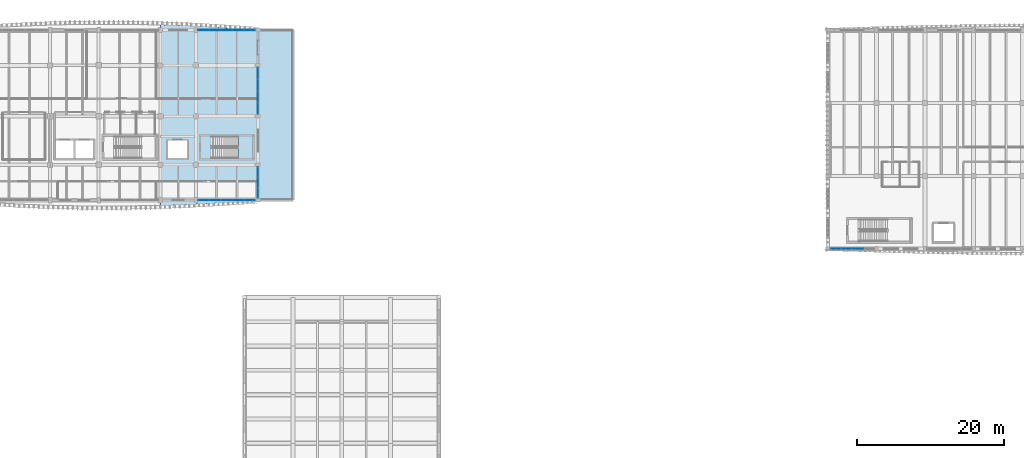
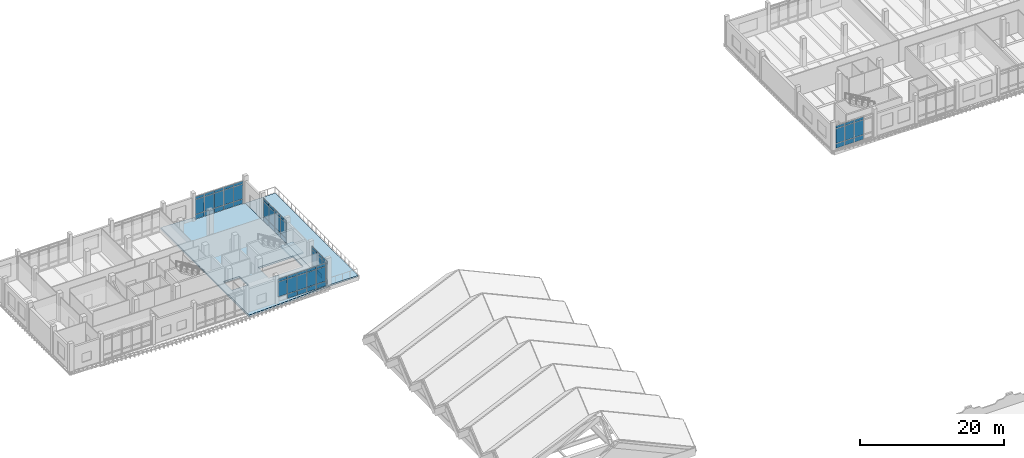
# One storey, part 20 of 50: 59 plates, 3 slabs, 6 elements without a shape of their own.
"""IFC4 building model written with IfcOpenShell, lengths in metres."""

from ifc_helpers import new_model, si_unit, direction, frame, origin, origin_2d, place, context, subcontext, project, spatial, polyline, rectangle, outline, extrude, material, layer, layer_set, type_object, element, aggregate, save


model = new_model("IFC4")

# Units and contexts
model_context = context("Model", 3, precision=1e-05, world=origin(), true_north=direction((0.0, 1.0)))
body_context = subcontext(model_context, "Body", "Model", "MODEL_VIEW")
ifc_project = project(units=[si_unit("LENGTHUNIT", "METRE"), si_unit("AREAUNIT", "SQUARE_METRE"), si_unit("VOLUMEUNIT", "CUBIC_METRE"), si_unit("PLANEANGLEUNIT", "RADIAN"), si_unit("MASSUNIT", "GRAM", prefix="KILO")], contexts=[model_context])

# Site, building, storey
site_placement = place(None, origin())
site = spatial("IfcSite", under=ifc_project, at=site_placement, CompositionType="ELEMENT")
building_placement = place(site_placement, origin())
building = spatial("IfcBuilding", under=site, at=building_placement, Name="Dornvale Research Institute", CompositionType="ELEMENT")
storey_placement = place(building_placement, frame((0.0, 0.0, 19.800048828125)))
storey = spatial("IfcBuildingStorey", under=building, at=storey_placement, Name="L04", CompositionType="ELEMENT", Elevation=19.800048828125)

# Curtain wall, plates
ifc_material_1 = material(Name="Low-E Argon Double Insulating Glazing Unit", Category="glass")
curtain_wall_type_1 = type_object("IfcCurtainWallType", Name="UnitisedCurtainWall_V4_6050x3950", PredefinedType="USERDEFINED", material=ifc_material_1)
curtain_wall_1_placement = place(storey_placement, origin())
curtain_wall_1 = element("IfcCurtainWall", 1, at=curtain_wall_1_placement, inside=storey, type_object=curtain_wall_type_1, Name="L04 V4 unitised curtain wall CW-18 #108", ObjectType="UNITISED CURTAIN WALL", PredefinedType="USERDEFINED")
ifc_material_2 = material(Name="Insulated Ceramic-Frit Spandrel Glass Panel", Category="glass")
ifc_layer_1 = layer(ifc_material_2, 0.0419921875)
ifc_layer_set_1 = layer_set([ifc_layer_1], Name="Insulated Ceramic-Frit Spandrel Glass Panel")
plate_type_1 = type_object("IfcPlateType", Name="CurtainPanel_Spandrel_42", PredefinedType="CURTAIN_PANEL", material=ifc_layer_set_1)
plate_1_placement = place(storey_placement, frame((122.90625, 92.39990234375, 0.06494140625), z_axis=(0.0, 0.0, 1.0), x_axis=(-1.0, 0.0, 0.0)))
plate_1 = element("IfcPlate", 2, at=plate_1_placement, type_object=plate_type_1, Name="CW-18 panel 2.1", PredefinedType="CURTAIN_PANEL", context=body_context, shape_type="SweptSolid", body=[
    extrude(rectangle(XDim=1.447509765625, YDim=0.0419921875, at=origin_2d()), origin(), (0.0, 0.0, 1.0), 0.75244140625),
])
plate_2_placement = place(storey_placement, frame((121.393798828125, 92.39990234375, 0.06494140625), z_axis=(0.0, 0.0, 1.0), x_axis=(-1.0, 0.0, 0.0)))
plate_2 = element("IfcPlate", 3, at=plate_2_placement, type_object=plate_type_1, Name="CW-18 panel 3.1", PredefinedType="CURTAIN_PANEL", context=body_context, shape_type="SweptSolid", body=[
    extrude(rectangle(XDim=1.447509765625, YDim=0.0419921875, at=origin_2d()), origin(), (0.0, 0.0, 1.0), 0.75244140625),
])
plate_3_placement = place(storey_placement, frame((119.8974609375, 92.39990234375, 0.06494140625), z_axis=(0.0, 0.0, 1.0), x_axis=(-1.0, 0.0, 0.0)))
plate_3 = element("IfcPlate", 4, at=plate_3_placement, type_object=plate_type_1, Name="CW-18 panel 4.1", PredefinedType="CURTAIN_PANEL", context=body_context, shape_type="SweptSolid", body=[
    extrude(rectangle(XDim=1.4150390625, YDim=0.0419921875, at=origin_2d()), origin(), (0.0, 0.0, 1.0), 0.75244140625),
])

ifc_material_3 = material(Name="Low-E Argon Double Insulating Glazing Unit", Category="glass")
curtain_wall_type_2 = type_object("IfcCurtainWallType", Name="UnitisedCurtainWall_V5_7800x3950", PredefinedType="USERDEFINED", material=ifc_material_3)
curtain_wall_2_placement = place(storey_placement, origin())
curtain_wall_2 = element("IfcCurtainWall", 5, at=curtain_wall_2_placement, inside=storey, type_object=curtain_wall_type_2, Name="L04 V5 unitised curtain wall CW-29 #159", ObjectType="UNITISED CURTAIN WALL", PredefinedType="USERDEFINED")
plate_4_placement = place(storey_placement, frame((34.046142578125, 122.10009765625, 0.06494140625), z_axis=(0.0, 0.0, 1.0), x_axis=(1.0, 0.0, 0.0)))
plate_4 = element("IfcPlate", 6, at=plate_4_placement, type_object=plate_type_1, Name="CW-29 panel 1.1", PredefinedType="CURTAIN_PANEL", context=body_context, shape_type="SweptSolid", body=[
    extrude(rectangle(XDim=1.46240234375, YDim=0.0419921875, at=origin_2d()), origin(), (0.0, 0.0, 1.0), 0.75244140625),
])
plate_5_placement = place(storey_placement, frame((35.590087890625, 122.10009765625, 0.06494140625), z_axis=(0.0, 0.0, 1.0), x_axis=(1.0, 0.0, 0.0)))
plate_5 = element("IfcPlate", 7, at=plate_5_placement, type_object=plate_type_1, Name="CW-29 panel 2.1", PredefinedType="CURTAIN_PANEL", context=body_context, shape_type="SweptSolid", body=[
    extrude(rectangle(XDim=1.4951171875, YDim=0.0419921875, at=origin_2d()), origin(), (0.0, 0.0, 1.0), 0.75244140625),
])
plate_6_placement = place(storey_placement, frame((37.14990234375, 122.10009765625, 0.06494140625), z_axis=(0.0, 0.0, 1.0), x_axis=(1.0, 0.0, 0.0)))
plate_6 = element("IfcPlate", 8, at=plate_6_placement, type_object=plate_type_1, Name="CW-29 panel 3.1", PredefinedType="CURTAIN_PANEL", context=body_context, shape_type="SweptSolid", body=[
    extrude(rectangle(XDim=1.4951171875, YDim=0.0419921875, at=origin_2d()), origin(), (0.0, 0.0, 1.0), 0.75244140625),
])
plate_7_placement = place(storey_placement, frame((38.7099609375, 122.10009765625, 0.06494140625), z_axis=(0.0, 0.0, 1.0), x_axis=(1.0, 0.0, 0.0)))
plate_7 = element("IfcPlate", 9, at=plate_7_placement, type_object=plate_type_1, Name="CW-29 panel 4.1", PredefinedType="CURTAIN_PANEL", context=body_context, shape_type="SweptSolid", body=[
    extrude(rectangle(XDim=1.4951171875, YDim=0.0419921875, at=origin_2d()), origin(), (0.0, 0.0, 1.0), 0.75244140625),
])
plate_8_placement = place(storey_placement, frame((40.253662109375, 122.10009765625, 0.06494140625), z_axis=(0.0, 0.0, 1.0), x_axis=(1.0, 0.0, 0.0)))
plate_8 = element("IfcPlate", 10, at=plate_8_placement, type_object=plate_type_1, Name="CW-29 panel 5.1", PredefinedType="CURTAIN_PANEL", context=body_context, shape_type="SweptSolid", body=[
    extrude(rectangle(XDim=1.46240234375, YDim=0.0419921875, at=origin_2d()), origin(), (0.0, 0.0, 1.0), 0.75244140625),
])

ifc_material_4 = material(Name="Low-E Argon Double Insulating Glazing Unit", Category="glass")
curtain_wall_type_3 = type_object("IfcCurtainWallType", Name="UnitisedCurtainWall_V5_6400x3950", PredefinedType="USERDEFINED", material=ifc_material_4)
curtain_wall_3_placement = place(storey_placement, origin())
curtain_wall_3 = element("IfcCurtainWall", 11, at=curtain_wall_3_placement, inside=storey, type_object=curtain_wall_type_3, Name="L04 V5 unitised curtain wall CW-28 #160", ObjectType="UNITISED CURTAIN WALL", PredefinedType="USERDEFINED")
plate_9_placement = place(storey_placement, frame((41.39990234375, 116.233642578125, 0.06494140625), z_axis=(0.0, 0.0, 1.0), x_axis=(0.0, -1.0, 0.0)))
plate_9 = element("IfcPlate", 12, at=plate_9_placement, type_object=plate_type_1, Name="CW-28 panel 1.1", PredefinedType="CURTAIN_PANEL", context=body_context, shape_type="SweptSolid", body=[
    extrude(rectangle(XDim=1.50244140625, YDim=0.0419921875, at=origin_2d()), origin(), (0.0, 0.0, 1.0), 0.75244140625),
])
plate_10_placement = place(storey_placement, frame((41.39990234375, 114.64990234375, 0.06494140625), z_axis=(0.0, 0.0, 1.0), x_axis=(0.0, -1.0, 0.0)))
plate_10 = element("IfcPlate", 13, at=plate_10_placement, type_object=plate_type_1, Name="CW-28 panel 2.1", PredefinedType="CURTAIN_PANEL", context=body_context, shape_type="SweptSolid", body=[
    extrude(rectangle(XDim=1.534912109375, YDim=0.0419921875, at=origin_2d()), origin(), (0.0, 0.0, 1.0), 0.75244140625),
])
plate_11_placement = place(storey_placement, frame((41.39990234375, 113.050048828125, 0.06494140625), z_axis=(0.0, 0.0, 1.0), x_axis=(0.0, -1.0, 0.0)))
plate_11 = element("IfcPlate", 14, at=plate_11_placement, type_object=plate_type_1, Name="CW-28 panel 3.1", PredefinedType="CURTAIN_PANEL", context=body_context, shape_type="SweptSolid", body=[
    extrude(rectangle(XDim=1.534912109375, YDim=0.0419921875, at=origin_2d()), origin(), (0.0, 0.0, 1.0), 0.75244140625),
])
plate_12_placement = place(storey_placement, frame((41.39990234375, 111.46630859375, 0.06494140625), z_axis=(0.0, 0.0, 1.0), x_axis=(0.0, -1.0, 0.0)))
plate_12 = element("IfcPlate", 15, at=plate_12_placement, type_object=plate_type_1, Name="CW-28 panel 4.1", PredefinedType="CURTAIN_PANEL", context=body_context, shape_type="SweptSolid", body=[
    extrude(rectangle(XDim=1.50244140625, YDim=0.0419921875, at=origin_2d()), origin(), (0.0, 0.0, 1.0), 0.75244140625),
])

ifc_material_5 = material(Name="Low-E Argon Double Insulating Glazing Unit", Category="glass")
curtain_wall_type_4 = type_object("IfcCurtainWallType", Name="UnitisedCurtainWall_V5_4300x3950", PredefinedType="USERDEFINED", material=ifc_material_5)
curtain_wall_4_placement = place(storey_placement, origin())
curtain_wall_4 = element("IfcCurtainWall", 16, at=curtain_wall_4_placement, inside=storey, type_object=curtain_wall_type_4, Name="L04 V5 unitised curtain wall CW-25 #161", ObjectType="UNITISED CURTAIN WALL", PredefinedType="USERDEFINED")
plate_13_placement = place(storey_placement, frame((41.39990234375, 102.817138671875, 0.06494140625), z_axis=(0.0, 0.0, 1.0), x_axis=(0.0, -1.0, 0.0)))
plate_13 = element("IfcPlate", 17, at=plate_13_placement, type_object=plate_type_1, Name="CW-25 panel 1.1", PredefinedType="CURTAIN_PANEL", context=body_context, shape_type="SweptSolid", body=[
    extrude(rectangle(XDim=1.3359375, YDim=0.0419921875, at=origin_2d()), origin(), (0.0, 0.0, 1.0), 0.75244140625),
])
plate_14_placement = place(storey_placement, frame((41.39990234375, 101.39990234375, 0.06494140625), z_axis=(0.0, 0.0, 1.0), x_axis=(0.0, -1.0, 0.0)))
plate_14 = element("IfcPlate", 18, at=plate_14_placement, type_object=plate_type_1, Name="CW-25 panel 2.1", PredefinedType="CURTAIN_PANEL", context=body_context, shape_type="SweptSolid", body=[
    extrude(rectangle(XDim=1.368408203125, YDim=0.0419921875, at=origin_2d()), origin(), (0.0, 0.0, 1.0), 0.75244140625),
])
plate_15_placement = place(storey_placement, frame((41.39990234375, 99.98291015625, 0.06494140625), z_axis=(0.0, 0.0, 1.0), x_axis=(0.0, -1.0, 0.0)))
plate_15 = element("IfcPlate", 19, at=plate_15_placement, type_object=plate_type_1, Name="CW-25 panel 3.1", PredefinedType="CURTAIN_PANEL", context=body_context, shape_type="SweptSolid", body=[
    extrude(rectangle(XDim=1.3359375, YDim=0.0419921875, at=origin_2d()), origin(), (0.0, 0.0, 1.0), 0.75244140625),
])

curtain_wall_5_placement = place(storey_placement, origin())
curtain_wall_5 = element("IfcCurtainWall", 20, at=curtain_wall_5_placement, inside=storey, type_object=curtain_wall_type_2, Name="L04 V5 unitised curtain wall CW-29 #162", ObjectType="UNITISED CURTAIN WALL", PredefinedType="USERDEFINED")
plate_16_placement = place(storey_placement, frame((40.253662109375, 99.0, 0.06494140625), z_axis=(0.0, 0.0, 1.0), x_axis=(-1.0, 0.0, 0.0)))
plate_16 = element("IfcPlate", 21, at=plate_16_placement, type_object=plate_type_1, Name="CW-29 panel 1.1", PredefinedType="CURTAIN_PANEL", context=body_context, shape_type="SweptSolid", body=[
    extrude(rectangle(XDim=1.46240234375, YDim=0.0419921875, at=origin_2d()), origin(), (0.0, 0.0, 1.0), 0.75244140625),
])
plate_17_placement = place(storey_placement, frame((38.7099609375, 99.0, 0.06494140625), z_axis=(0.0, 0.0, 1.0), x_axis=(-1.0, 0.0, 0.0)))
plate_17 = element("IfcPlate", 22, at=plate_17_placement, type_object=plate_type_1, Name="CW-29 panel 2.1", PredefinedType="CURTAIN_PANEL", context=body_context, shape_type="SweptSolid", body=[
    extrude(rectangle(XDim=1.4951171875, YDim=0.0419921875, at=origin_2d()), origin(), (0.0, 0.0, 1.0), 0.75244140625),
])
plate_18_placement = place(storey_placement, frame((37.14990234375, 99.0, 0.06494140625), z_axis=(0.0, 0.0, 1.0), x_axis=(-1.0, 0.0, 0.0)))
plate_18 = element("IfcPlate", 23, at=plate_18_placement, type_object=plate_type_1, Name="CW-29 panel 3.1", PredefinedType="CURTAIN_PANEL", context=body_context, shape_type="SweptSolid", body=[
    extrude(rectangle(XDim=1.4951171875, YDim=0.0419921875, at=origin_2d()), origin(), (0.0, 0.0, 1.0), 0.75244140625),
])
plate_19_placement = place(storey_placement, frame((35.590087890625, 99.0, 0.06494140625), z_axis=(0.0, 0.0, 1.0), x_axis=(-1.0, 0.0, 0.0)))
plate_19 = element("IfcPlate", 24, at=plate_19_placement, type_object=plate_type_1, Name="CW-29 panel 4.1", PredefinedType="CURTAIN_PANEL", context=body_context, shape_type="SweptSolid", body=[
    extrude(rectangle(XDim=1.4951171875, YDim=0.0419921875, at=origin_2d()), origin(), (0.0, 0.0, 1.0), 0.75244140625),
])

# Plate
ifc_material_6 = material(Name="Low-E Argon Double Insulating Glazing Unit", Category="glass")
ifc_layer_2 = layer(ifc_material_6, 0.028076171875)
ifc_layer_set_2 = layer_set([ifc_layer_2], Name="Low-E Argon Double Insulating Glazing Unit")
plate_type_2 = type_object("IfcPlateType", Name="CurtainPanel_Vision_28", PredefinedType="CURTAIN_PANEL", material=ifc_layer_set_2)
plate_20_placement = place(storey_placement, frame((122.90625, 92.39990234375, 0.88232421875), z_axis=(0.0, 0.0, 1.0), x_axis=(-1.0, 0.0, 0.0)))
plate_20 = element("IfcPlate", 25, at=plate_20_placement, type_object=plate_type_2, Name="CW-18 panel 2.2", PredefinedType="CURTAIN_PANEL", context=body_context, shape_type="SweptSolid", body=[
    extrude(rectangle(XDim=1.447509765625, YDim=0.028076171875, at=origin_2d()), origin(), (0.0, 0.0, 1.0), 2.485107421875),
])

plate_21_placement = place(storey_placement, frame((122.90625, 92.39990234375, 3.4326171875), z_axis=(0.0, 0.0, 1.0), x_axis=(-1.0, 0.0, 0.0)))
plate_21 = element("IfcPlate", 26, at=plate_21_placement, type_object=plate_type_2, Name="CW-18 panel 2.3", PredefinedType="CURTAIN_PANEL", context=body_context, shape_type="SweptSolid", body=[
    extrude(rectangle(XDim=1.447509765625, YDim=0.028076171875, at=origin_2d()), origin(), (0.0, 0.0, 1.0), 0.452392578125),
])

plate_22_placement = place(storey_placement, frame((121.393798828125, 92.39990234375, 0.88232421875), z_axis=(0.0, 0.0, 1.0), x_axis=(-1.0, 0.0, 0.0)))
plate_22 = element("IfcPlate", 27, at=plate_22_placement, type_object=plate_type_2, Name="CW-18 panel 3.2", PredefinedType="CURTAIN_PANEL", context=body_context, shape_type="SweptSolid", body=[
    extrude(rectangle(XDim=1.447509765625, YDim=0.028076171875, at=origin_2d()), origin(), (0.0, 0.0, 1.0), 2.485107421875),
])

plate_23_placement = place(storey_placement, frame((121.393798828125, 92.39990234375, 3.4326171875), z_axis=(0.0, 0.0, 1.0), x_axis=(-1.0, 0.0, 0.0)))
plate_23 = element("IfcPlate", 28, at=plate_23_placement, type_object=plate_type_2, Name="CW-18 panel 3.3", PredefinedType="CURTAIN_PANEL", context=body_context, shape_type="SweptSolid", body=[
    extrude(rectangle(XDim=1.447509765625, YDim=0.028076171875, at=origin_2d()), origin(), (0.0, 0.0, 1.0), 0.452392578125),
])

plate_24_placement = place(storey_placement, frame((119.8974609375, 92.39990234375, 0.88232421875), z_axis=(0.0, 0.0, 1.0), x_axis=(-1.0, 0.0, 0.0)))
plate_24 = element("IfcPlate", 29, at=plate_24_placement, type_object=plate_type_2, Name="CW-18 panel 4.2", PredefinedType="CURTAIN_PANEL", context=body_context, shape_type="SweptSolid", body=[
    extrude(rectangle(XDim=1.4150390625, YDim=0.028076171875, at=origin_2d()), origin(), (0.0, 0.0, 1.0), 2.485107421875),
])

plate_25_placement = place(storey_placement, frame((119.8974609375, 92.39990234375, 3.4326171875), z_axis=(0.0, 0.0, 1.0), x_axis=(-1.0, 0.0, 0.0)))
plate_25 = element("IfcPlate", 30, at=plate_25_placement, type_object=plate_type_2, Name="CW-18 panel 4.3", PredefinedType="CURTAIN_PANEL", context=body_context, shape_type="SweptSolid", body=[
    extrude(rectangle(XDim=1.4150390625, YDim=0.028076171875, at=origin_2d()), origin(), (0.0, 0.0, 1.0), 0.452392578125),
])

aggregate(curtain_wall_1, [plate_1, plate_20, plate_21, plate_2, plate_22, plate_23, plate_3, plate_24, plate_25])

plate_26_placement = place(storey_placement, frame((34.046142578125, 122.10009765625, 0.88232421875), z_axis=(0.0, 0.0, 1.0), x_axis=(1.0, 0.0, 0.0)))
plate_26 = element("IfcPlate", 31, at=plate_26_placement, type_object=plate_type_2, Name="CW-29 panel 1.2", PredefinedType="CURTAIN_PANEL", context=body_context, shape_type="SweptSolid", body=[
    extrude(rectangle(XDim=1.46240234375, YDim=0.028076171875, at=origin_2d()), origin(), (0.0, 0.0, 1.0), 2.485107421875),
])

plate_27_placement = place(storey_placement, frame((34.046142578125, 122.10009765625, 3.4326171875), z_axis=(0.0, 0.0, 1.0), x_axis=(1.0, 0.0, 0.0)))
plate_27 = element("IfcPlate", 32, at=plate_27_placement, type_object=plate_type_2, Name="CW-29 panel 1.3", PredefinedType="CURTAIN_PANEL", context=body_context, shape_type="SweptSolid", body=[
    extrude(rectangle(XDim=1.46240234375, YDim=0.028076171875, at=origin_2d()), origin(), (0.0, 0.0, 1.0), 0.452392578125),
])

plate_28_placement = place(storey_placement, frame((35.590087890625, 122.10009765625, 0.88232421875), z_axis=(0.0, 0.0, 1.0), x_axis=(1.0, 0.0, 0.0)))
plate_28 = element("IfcPlate", 33, at=plate_28_placement, type_object=plate_type_2, Name="CW-29 panel 2.2", PredefinedType="CURTAIN_PANEL", context=body_context, shape_type="SweptSolid", body=[
    extrude(rectangle(XDim=1.4951171875, YDim=0.028076171875, at=origin_2d()), origin(), (0.0, 0.0, 1.0), 2.485107421875),
])

plate_29_placement = place(storey_placement, frame((35.590087890625, 122.10009765625, 3.4326171875), z_axis=(0.0, 0.0, 1.0), x_axis=(1.0, 0.0, 0.0)))
plate_29 = element("IfcPlate", 34, at=plate_29_placement, type_object=plate_type_2, Name="CW-29 panel 2.3", PredefinedType="CURTAIN_PANEL", context=body_context, shape_type="SweptSolid", body=[
    extrude(rectangle(XDim=1.4951171875, YDim=0.028076171875, at=origin_2d()), origin(), (0.0, 0.0, 1.0), 0.452392578125),
])

plate_30_placement = place(storey_placement, frame((37.14990234375, 122.10009765625, 0.88232421875), z_axis=(0.0, 0.0, 1.0), x_axis=(1.0, 0.0, 0.0)))
plate_30 = element("IfcPlate", 35, at=plate_30_placement, type_object=plate_type_2, Name="CW-29 panel 3.2", PredefinedType="CURTAIN_PANEL", context=body_context, shape_type="SweptSolid", body=[
    extrude(rectangle(XDim=1.4951171875, YDim=0.028076171875, at=origin_2d()), origin(), (0.0, 0.0, 1.0), 2.485107421875),
])

plate_31_placement = place(storey_placement, frame((37.14990234375, 122.10009765625, 3.4326171875), z_axis=(0.0, 0.0, 1.0), x_axis=(1.0, 0.0, 0.0)))
plate_31 = element("IfcPlate", 36, at=plate_31_placement, type_object=plate_type_2, Name="CW-29 panel 3.3", PredefinedType="CURTAIN_PANEL", context=body_context, shape_type="SweptSolid", body=[
    extrude(rectangle(XDim=1.4951171875, YDim=0.028076171875, at=origin_2d()), origin(), (0.0, 0.0, 1.0), 0.452392578125),
])

plate_32_placement = place(storey_placement, frame((38.7099609375, 122.10009765625, 0.88232421875), z_axis=(0.0, 0.0, 1.0), x_axis=(1.0, 0.0, 0.0)))
plate_32 = element("IfcPlate", 37, at=plate_32_placement, type_object=plate_type_2, Name="CW-29 panel 4.2", PredefinedType="CURTAIN_PANEL", context=body_context, shape_type="SweptSolid", body=[
    extrude(rectangle(XDim=1.4951171875, YDim=0.028076171875, at=origin_2d()), origin(), (0.0, 0.0, 1.0), 2.485107421875),
])

plate_33_placement = place(storey_placement, frame((38.7099609375, 122.10009765625, 3.4326171875), z_axis=(0.0, 0.0, 1.0), x_axis=(1.0, 0.0, 0.0)))
plate_33 = element("IfcPlate", 38, at=plate_33_placement, type_object=plate_type_2, Name="CW-29 panel 4.3", PredefinedType="CURTAIN_PANEL", context=body_context, shape_type="SweptSolid", body=[
    extrude(rectangle(XDim=1.4951171875, YDim=0.028076171875, at=origin_2d()), origin(), (0.0, 0.0, 1.0), 0.452392578125),
])

plate_34_placement = place(storey_placement, frame((40.253662109375, 122.10009765625, 0.88232421875), z_axis=(0.0, 0.0, 1.0), x_axis=(1.0, 0.0, 0.0)))
plate_34 = element("IfcPlate", 39, at=plate_34_placement, type_object=plate_type_2, Name="CW-29 panel 5.2", PredefinedType="CURTAIN_PANEL", context=body_context, shape_type="SweptSolid", body=[
    extrude(rectangle(XDim=1.46240234375, YDim=0.028076171875, at=origin_2d()), origin(), (0.0, 0.0, 1.0), 2.485107421875),
])

plate_35_placement = place(storey_placement, frame((40.253662109375, 122.10009765625, 3.4326171875), z_axis=(0.0, 0.0, 1.0), x_axis=(1.0, 0.0, 0.0)))
plate_35 = element("IfcPlate", 40, at=plate_35_placement, type_object=plate_type_2, Name="CW-29 panel 5.3", PredefinedType="CURTAIN_PANEL", context=body_context, shape_type="SweptSolid", body=[
    extrude(rectangle(XDim=1.46240234375, YDim=0.028076171875, at=origin_2d()), origin(), (0.0, 0.0, 1.0), 0.452392578125),
])

aggregate(curtain_wall_2, [plate_4, plate_26, plate_27, plate_5, plate_28, plate_29, plate_6, plate_30, plate_31, plate_7, plate_32, plate_33, plate_8, plate_34, plate_35])

plate_36_placement = place(storey_placement, frame((41.39990234375, 116.233642578125, 0.88232421875), z_axis=(0.0, 0.0, 1.0), x_axis=(0.0, -1.0, 0.0)))
plate_36 = element("IfcPlate", 41, at=plate_36_placement, type_object=plate_type_2, Name="CW-28 panel 1.2", PredefinedType="CURTAIN_PANEL", context=body_context, shape_type="SweptSolid", body=[
    extrude(rectangle(XDim=1.50244140625, YDim=0.028076171875, at=origin_2d()), origin(), (0.0, 0.0, 1.0), 2.485107421875),
])

plate_37_placement = place(storey_placement, frame((41.39990234375, 116.233642578125, 3.4326171875), z_axis=(0.0, 0.0, 1.0), x_axis=(0.0, -1.0, 0.0)))
plate_37 = element("IfcPlate", 42, at=plate_37_placement, type_object=plate_type_2, Name="CW-28 panel 1.3", PredefinedType="CURTAIN_PANEL", context=body_context, shape_type="SweptSolid", body=[
    extrude(rectangle(XDim=1.50244140625, YDim=0.028076171875, at=origin_2d()), origin(), (0.0, 0.0, 1.0), 0.452392578125),
])

plate_38_placement = place(storey_placement, frame((41.39990234375, 114.64990234375, 0.88232421875), z_axis=(0.0, 0.0, 1.0), x_axis=(0.0, -1.0, 0.0)))
plate_38 = element("IfcPlate", 43, at=plate_38_placement, type_object=plate_type_2, Name="CW-28 panel 2.2", PredefinedType="CURTAIN_PANEL", context=body_context, shape_type="SweptSolid", body=[
    extrude(rectangle(XDim=1.534912109375, YDim=0.028076171875, at=origin_2d()), origin(), (0.0, 0.0, 1.0), 2.485107421875),
])

plate_39_placement = place(storey_placement, frame((41.39990234375, 114.64990234375, 3.4326171875), z_axis=(0.0, 0.0, 1.0), x_axis=(0.0, -1.0, 0.0)))
plate_39 = element("IfcPlate", 44, at=plate_39_placement, type_object=plate_type_2, Name="CW-28 panel 2.3", PredefinedType="CURTAIN_PANEL", context=body_context, shape_type="SweptSolid", body=[
    extrude(rectangle(XDim=1.534912109375, YDim=0.028076171875, at=origin_2d()), origin(), (0.0, 0.0, 1.0), 0.452392578125),
])

plate_40_placement = place(storey_placement, frame((41.39990234375, 113.050048828125, 0.88232421875), z_axis=(0.0, 0.0, 1.0), x_axis=(0.0, -1.0, 0.0)))
plate_40 = element("IfcPlate", 45, at=plate_40_placement, type_object=plate_type_2, Name="CW-28 panel 3.2", PredefinedType="CURTAIN_PANEL", context=body_context, shape_type="SweptSolid", body=[
    extrude(rectangle(XDim=1.534912109375, YDim=0.028076171875, at=origin_2d()), origin(), (0.0, 0.0, 1.0), 2.485107421875),
])

plate_41_placement = place(storey_placement, frame((41.39990234375, 113.050048828125, 3.4326171875), z_axis=(0.0, 0.0, 1.0), x_axis=(0.0, -1.0, 0.0)))
plate_41 = element("IfcPlate", 46, at=plate_41_placement, type_object=plate_type_2, Name="CW-28 panel 3.3", PredefinedType="CURTAIN_PANEL", context=body_context, shape_type="SweptSolid", body=[
    extrude(rectangle(XDim=1.534912109375, YDim=0.028076171875, at=origin_2d()), origin(), (0.0, 0.0, 1.0), 0.452392578125),
])

plate_42_placement = place(storey_placement, frame((41.39990234375, 111.46630859375, 0.88232421875), z_axis=(0.0, 0.0, 1.0), x_axis=(0.0, -1.0, 0.0)))
plate_42 = element("IfcPlate", 47, at=plate_42_placement, type_object=plate_type_2, Name="CW-28 panel 4.2", PredefinedType="CURTAIN_PANEL", context=body_context, shape_type="SweptSolid", body=[
    extrude(rectangle(XDim=1.50244140625, YDim=0.028076171875, at=origin_2d()), origin(), (0.0, 0.0, 1.0), 2.485107421875),
])

plate_43_placement = place(storey_placement, frame((41.39990234375, 111.46630859375, 3.4326171875), z_axis=(0.0, 0.0, 1.0), x_axis=(0.0, -1.0, 0.0)))
plate_43 = element("IfcPlate", 48, at=plate_43_placement, type_object=plate_type_2, Name="CW-28 panel 4.3", PredefinedType="CURTAIN_PANEL", context=body_context, shape_type="SweptSolid", body=[
    extrude(rectangle(XDim=1.50244140625, YDim=0.028076171875, at=origin_2d()), origin(), (0.0, 0.0, 1.0), 0.452392578125),
])

aggregate(curtain_wall_3, [plate_9, plate_36, plate_37, plate_10, plate_38, plate_39, plate_11, plate_40, plate_41, plate_12, plate_42, plate_43])

plate_44_placement = place(storey_placement, frame((41.39990234375, 102.817138671875, 0.88232421875), z_axis=(0.0, 0.0, 1.0), x_axis=(0.0, -1.0, 0.0)))
plate_44 = element("IfcPlate", 49, at=plate_44_placement, type_object=plate_type_2, Name="CW-25 panel 1.2", PredefinedType="CURTAIN_PANEL", context=body_context, shape_type="SweptSolid", body=[
    extrude(rectangle(XDim=1.3359375, YDim=0.028076171875, at=origin_2d()), origin(), (0.0, 0.0, 1.0), 2.485107421875),
])

plate_45_placement = place(storey_placement, frame((41.39990234375, 102.817138671875, 3.4326171875), z_axis=(0.0, 0.0, 1.0), x_axis=(0.0, -1.0, 0.0)))
plate_45 = element("IfcPlate", 50, at=plate_45_placement, type_object=plate_type_2, Name="CW-25 panel 1.3", PredefinedType="CURTAIN_PANEL", context=body_context, shape_type="SweptSolid", body=[
    extrude(rectangle(XDim=1.3359375, YDim=0.028076171875, at=origin_2d()), origin(), (0.0, 0.0, 1.0), 0.452392578125),
])

plate_46_placement = place(storey_placement, frame((41.39990234375, 101.39990234375, 0.88232421875), z_axis=(0.0, 0.0, 1.0), x_axis=(0.0, -1.0, 0.0)))
plate_46 = element("IfcPlate", 51, at=plate_46_placement, type_object=plate_type_2, Name="CW-25 panel 2.2", PredefinedType="CURTAIN_PANEL", context=body_context, shape_type="SweptSolid", body=[
    extrude(rectangle(XDim=1.368408203125, YDim=0.028076171875, at=origin_2d()), origin(), (0.0, 0.0, 1.0), 2.485107421875),
])

plate_47_placement = place(storey_placement, frame((41.39990234375, 101.39990234375, 3.4326171875), z_axis=(0.0, 0.0, 1.0), x_axis=(0.0, -1.0, 0.0)))
plate_47 = element("IfcPlate", 52, at=plate_47_placement, type_object=plate_type_2, Name="CW-25 panel 2.3", PredefinedType="CURTAIN_PANEL", context=body_context, shape_type="SweptSolid", body=[
    extrude(rectangle(XDim=1.368408203125, YDim=0.028076171875, at=origin_2d()), origin(), (0.0, 0.0, 1.0), 0.452392578125),
])

plate_48_placement = place(storey_placement, frame((41.39990234375, 99.98291015625, 0.88232421875), z_axis=(0.0, 0.0, 1.0), x_axis=(0.0, -1.0, 0.0)))
plate_48 = element("IfcPlate", 53, at=plate_48_placement, type_object=plate_type_2, Name="CW-25 panel 3.2", PredefinedType="CURTAIN_PANEL", context=body_context, shape_type="SweptSolid", body=[
    extrude(rectangle(XDim=1.3359375, YDim=0.028076171875, at=origin_2d()), origin(), (0.0, 0.0, 1.0), 2.485107421875),
])

plate_49_placement = place(storey_placement, frame((41.39990234375, 99.98291015625, 3.4326171875), z_axis=(0.0, 0.0, 1.0), x_axis=(0.0, -1.0, 0.0)))
plate_49 = element("IfcPlate", 54, at=plate_49_placement, type_object=plate_type_2, Name="CW-25 panel 3.3", PredefinedType="CURTAIN_PANEL", context=body_context, shape_type="SweptSolid", body=[
    extrude(rectangle(XDim=1.3359375, YDim=0.028076171875, at=origin_2d()), origin(), (0.0, 0.0, 1.0), 0.452392578125),
])

aggregate(curtain_wall_4, [plate_13, plate_44, plate_45, plate_14, plate_46, plate_47, plate_15, plate_48, plate_49])

plate_50_placement = place(storey_placement, frame((40.253662109375, 99.0, 0.88232421875), z_axis=(0.0, 0.0, 1.0), x_axis=(-1.0, 0.0, 0.0)))
plate_50 = element("IfcPlate", 55, at=plate_50_placement, type_object=plate_type_2, Name="CW-29 panel 1.2", PredefinedType="CURTAIN_PANEL", context=body_context, shape_type="SweptSolid", body=[
    extrude(rectangle(XDim=1.46240234375, YDim=0.028076171875, at=origin_2d()), origin(), (0.0, 0.0, 1.0), 2.485107421875),
])

plate_51_placement = place(storey_placement, frame((40.253662109375, 99.0, 3.4326171875), z_axis=(0.0, 0.0, 1.0), x_axis=(-1.0, 0.0, 0.0)))
plate_51 = element("IfcPlate", 56, at=plate_51_placement, type_object=plate_type_2, Name="CW-29 panel 1.3", PredefinedType="CURTAIN_PANEL", context=body_context, shape_type="SweptSolid", body=[
    extrude(rectangle(XDim=1.46240234375, YDim=0.028076171875, at=origin_2d()), origin(), (0.0, 0.0, 1.0), 0.452392578125),
])

plate_52_placement = place(storey_placement, frame((38.7099609375, 99.0, 0.88232421875), z_axis=(0.0, 0.0, 1.0), x_axis=(-1.0, 0.0, 0.0)))
plate_52 = element("IfcPlate", 57, at=plate_52_placement, type_object=plate_type_2, Name="CW-29 panel 2.2", PredefinedType="CURTAIN_PANEL", context=body_context, shape_type="SweptSolid", body=[
    extrude(rectangle(XDim=1.4951171875, YDim=0.028076171875, at=origin_2d()), origin(), (0.0, 0.0, 1.0), 2.485107421875),
])

plate_53_placement = place(storey_placement, frame((38.7099609375, 99.0, 3.4326171875), z_axis=(0.0, 0.0, 1.0), x_axis=(-1.0, 0.0, 0.0)))
plate_53 = element("IfcPlate", 58, at=plate_53_placement, type_object=plate_type_2, Name="CW-29 panel 2.3", PredefinedType="CURTAIN_PANEL", context=body_context, shape_type="SweptSolid", body=[
    extrude(rectangle(XDim=1.4951171875, YDim=0.028076171875, at=origin_2d()), origin(), (0.0, 0.0, 1.0), 0.452392578125),
])

plate_54_placement = place(storey_placement, frame((37.14990234375, 99.0, 0.88232421875), z_axis=(0.0, 0.0, 1.0), x_axis=(-1.0, 0.0, 0.0)))
plate_54 = element("IfcPlate", 59, at=plate_54_placement, type_object=plate_type_2, Name="CW-29 panel 3.2", PredefinedType="CURTAIN_PANEL", context=body_context, shape_type="SweptSolid", body=[
    extrude(rectangle(XDim=1.4951171875, YDim=0.028076171875, at=origin_2d()), origin(), (0.0, 0.0, 1.0), 2.485107421875),
])

plate_55_placement = place(storey_placement, frame((37.14990234375, 99.0, 3.4326171875), z_axis=(0.0, 0.0, 1.0), x_axis=(-1.0, 0.0, 0.0)))
plate_55 = element("IfcPlate", 60, at=plate_55_placement, type_object=plate_type_2, Name="CW-29 panel 3.3", PredefinedType="CURTAIN_PANEL", context=body_context, shape_type="SweptSolid", body=[
    extrude(rectangle(XDim=1.4951171875, YDim=0.028076171875, at=origin_2d()), origin(), (0.0, 0.0, 1.0), 0.452392578125),
])

plate_56_placement = place(storey_placement, frame((35.590087890625, 99.0, 0.88232421875), z_axis=(0.0, 0.0, 1.0), x_axis=(-1.0, 0.0, 0.0)))
plate_56 = element("IfcPlate", 61, at=plate_56_placement, type_object=plate_type_2, Name="CW-29 panel 4.2", PredefinedType="CURTAIN_PANEL", context=body_context, shape_type="SweptSolid", body=[
    extrude(rectangle(XDim=1.4951171875, YDim=0.028076171875, at=origin_2d()), origin(), (0.0, 0.0, 1.0), 2.485107421875),
])

plate_57_placement = place(storey_placement, frame((35.590087890625, 99.0, 3.4326171875), z_axis=(0.0, 0.0, 1.0), x_axis=(-1.0, 0.0, 0.0)))
plate_57 = element("IfcPlate", 62, at=plate_57_placement, type_object=plate_type_2, Name="CW-29 panel 4.3", PredefinedType="CURTAIN_PANEL", context=body_context, shape_type="SweptSolid", body=[
    extrude(rectangle(XDim=1.4951171875, YDim=0.028076171875, at=origin_2d()), origin(), (0.0, 0.0, 1.0), 0.452392578125),
])

plate_58_placement = place(storey_placement, frame((34.046142578125, 99.0, 0.88232421875), z_axis=(0.0, 0.0, 1.0), x_axis=(-1.0, 0.0, 0.0)))
plate_58 = element("IfcPlate", 63, at=plate_58_placement, type_object=plate_type_2, Name="CW-29 panel 5.2", PredefinedType="CURTAIN_PANEL", context=body_context, shape_type="SweptSolid", body=[
    extrude(rectangle(XDim=1.46240234375, YDim=0.028076171875, at=origin_2d()), origin(), (0.0, 0.0, 1.0), 2.485107421875),
])

plate_59_placement = place(storey_placement, frame((34.046142578125, 99.0, 3.4326171875), z_axis=(0.0, 0.0, 1.0), x_axis=(-1.0, 0.0, 0.0)))
plate_59 = element("IfcPlate", 64, at=plate_59_placement, type_object=plate_type_2, Name="CW-29 panel 5.3", PredefinedType="CURTAIN_PANEL", context=body_context, shape_type="SweptSolid", body=[
    extrude(rectangle(XDim=1.46240234375, YDim=0.028076171875, at=origin_2d()), origin(), (0.0, 0.0, 1.0), 0.452392578125),
])

aggregate(curtain_wall_5, [plate_16, plate_50, plate_51, plate_17, plate_52, plate_53, plate_18, plate_54, plate_55, plate_19, plate_56, plate_57, plate_58, plate_59])

# Slabs
ifc_material_7 = material(Name="Concrete f'c 45 MPa (C35/45)", Category="concrete")
ifc_layer_3 = layer(ifc_material_7, 0.300048828125)
ifc_layer_set_3 = layer_set([ifc_layer_3], Name="Concrete f'c 45 MPa (C35/45)")
slab_type_1 = type_object("IfcSlabType", Name="FloorSlab_DryLab_300", PredefinedType="FLOOR", material=ifc_layer_set_3)
slab_1_placement = place(storey_placement, frame((0.0, 0.0, -0.300048828125)))
element("IfcSlab", 65, at=slab_1_placement, inside=storey, type_object=slab_type_1, Name="L04 V5 E floor slab", PredefinedType="FLOOR", context=body_context, shape_type="SweptSolid", body=[
    extrude(outline(polyline([(29.80810546875, 122.785400390625), (31.464111328125, 122.72021484375), (33.1201171875, 122.64404296875), (34.77587890625, 122.556884765625), (36.431884765625, 122.458984375), (38.087890625, 122.35009765625), (39.743896484375, 122.230712890625), (41.39990234375, 122.10009765625), (41.39990234375, 99.0), (39.743896484375, 98.869384765625), (38.087890625, 98.749755859375), (36.431884765625, 98.64111328125), (34.77587890625, 98.54296875), (33.1201171875, 98.4560546875), (31.464111328125, 98.3798828125), (29.80810546875, 98.314697265625), (28.199951171875, 98.26171875), (28.199951171875, 122.838134765625), (29.80810546875, 122.785400390625)]), holes=[polyline([(35.10009765625, 104.699951171875), (40.699951171875, 104.699951171875), (40.699951171875, 107.659912109375), (35.10009765625, 107.659912109375), (35.10009765625, 104.699951171875)]), polyline([(29.199951171875, 104.699951171875), (31.800048828125, 104.699951171875), (31.800048828125, 107.10009765625), (29.199951171875, 107.10009765625), (29.199951171875, 104.699951171875)])]), origin(), (0.0, 0.0, 1.0), 0.300048828125),
])
ifc_material_8 = material(Name="Concrete f'c 45 MPa (C35/45)", Category="concrete")
ifc_layer_4 = layer(ifc_material_8, 0.25)
ifc_layer_set_4 = layer_set([ifc_layer_4], Name="Concrete f'c 45 MPa (C35/45)")
slab_type_2 = type_object("IfcSlabType", Name="FloorSlab_Terrace_250_Ext", PredefinedType="FLOOR", material=ifc_layer_set_4)
slab_2_placement = place(storey_placement, frame((0.0, 0.0, -0.25)))
element("IfcSlab", 66, at=slab_2_placement, inside=storey, type_object=slab_type_2, Name="L04 planted research terrace slab TER-V5-L04", PredefinedType="FLOOR", context=body_context, shape_type="SweptSolid", body=[
    extrude(outline(polyline([(41.39990234375, 99.0), (46.199951171875, 99.0), (46.199951171875, 122.10009765625), (41.39990234375, 122.10009765625), (41.39990234375, 99.0)])), origin(), (0.0, 0.0, 1.0), 0.25),
])

# Stair, slab
ifc_material_9 = material(Name="Concrete f'c 45 MPa (C35/45)", Category="concrete")
stair_type = type_object("IfcStairType", Name="HalfTurnStair_RC", PredefinedType="HALF_TURN_STAIR", material=ifc_material_9)
stair_placement = place(storey_placement, origin())
stair = element("IfcStair", 67, at=stair_placement, inside=storey, type_object=stair_type, Name="L04 Exit stair ST-2", PredefinedType="HALF_TURN_STAIR")
ifc_material_10 = material(Name="Concrete f'c 45 MPa (C35/45)", Category="concrete")
ifc_layer_5 = layer(ifc_material_10, 0.199951171875)
ifc_layer_set_5 = layer_set([ifc_layer_5], Name="Concrete f'c 45 MPa (C35/45)")
slab_type_3 = type_object("IfcSlabType", Name="Landing_Stair_200", PredefinedType="LANDING", material=ifc_layer_set_5)
slab_3_placement = place(storey_placement, frame((0.0, 0.0, 2.199951171875)))
slab_3 = element("IfcSlab", 68, at=slab_3_placement, type_object=slab_type_3, Name="ST-2 landing 1", PredefinedType="LANDING", context=body_context, shape_type="SweptSolid", body=[
    extrude(outline(polyline([(38.7099609375, 104.669921875), (38.7099609375, 107.68994140625), (40.72998046875, 107.68994140625), (40.72998046875, 104.669921875), (38.7099609375, 104.669921875)])), origin(), (0.0, 0.0, 1.0), 0.199951171875),
])
aggregate(stair, [slab_3])

save(model, "model.ifc")
